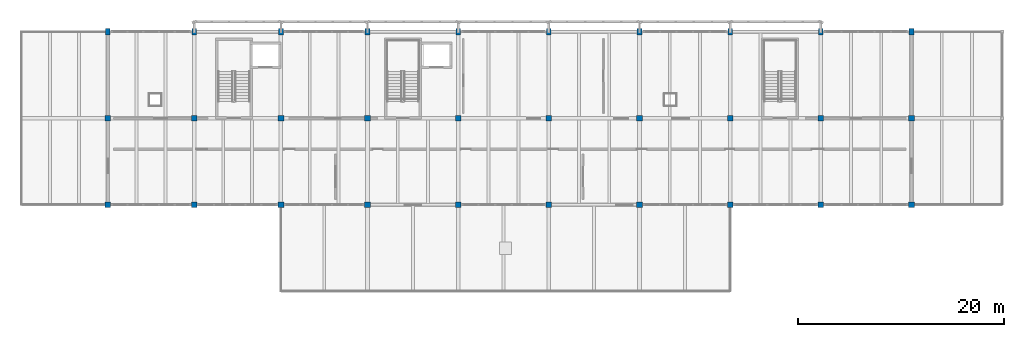
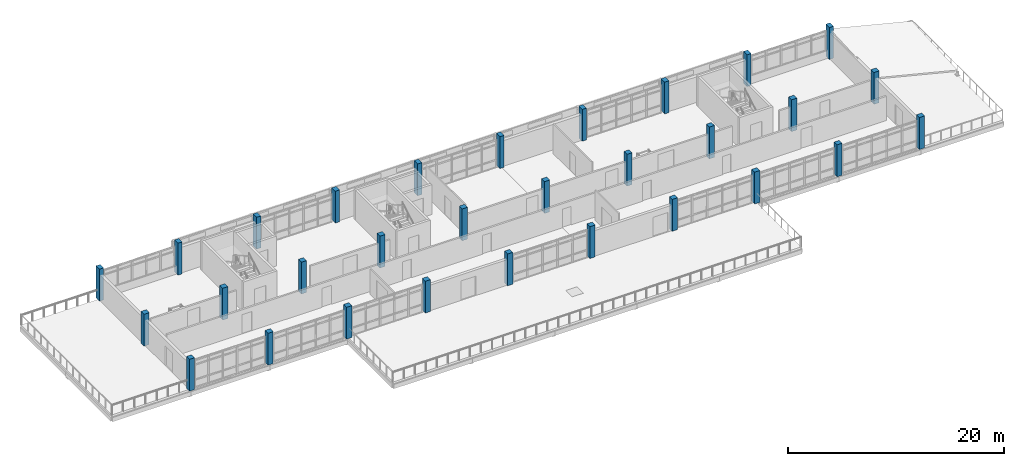
# One storey, part 1 of 30: 30 columns.
"""IFC4 building model written with IfcOpenShell, lengths in metres."""

from ifc_helpers import new_model, si_unit, direction, frame, origin, origin_2d, place, context, subcontext, project, spatial, rectangle, extrude, material, material_profile, profile_set, type_object, element, save


model = new_model("IFC4")

# Units and contexts
model_context = context("Model", 3, precision=1e-05, world=origin(), true_north=direction((0.0, 1.0)))
body_context = subcontext(model_context, "Body", "Model", "MODEL_VIEW")
ifc_project = project(units=[si_unit("LENGTHUNIT", "METRE"), si_unit("AREAUNIT", "SQUARE_METRE"), si_unit("VOLUMEUNIT", "CUBIC_METRE"), si_unit("PLANEANGLEUNIT", "RADIAN"), si_unit("MASSUNIT", "GRAM", prefix="KILO")], contexts=[model_context])

# Site, building, storey
site_placement = place(None, origin())
site = spatial("IfcSite", under=ifc_project, at=site_placement, CompositionType="ELEMENT")
building_placement = place(site_placement, origin())
building = spatial("IfcBuilding", under=site, at=building_placement, Name="Cinderway Yard Community Centre", CompositionType="ELEMENT")
storey_placement = place(building_placement, frame((0.0, 0.0, 16.5)))
storey = spatial("IfcBuildingStorey", under=building, at=storey_placement, Name="L04", CompositionType="ELEMENT", Elevation=16.5)

# Columns
ifc_material = material(Name="Concrete C40/50", Category="concrete")
ifc_material_profile_1 = material_profile(ifc_material, rectangle(XDim=0.449951171875, YDim=0.64990234375, at=origin_2d()), Name="Concrete C40/50")
ifc_profile_set_1 = profile_set([ifc_material_profile_1], Name="Concrete C40/50")
column_type_1 = type_object("IfcColumnType", Name="STR-COL-RC450X650", PredefinedType="COLUMN", material=ifc_profile_set_1)
for number, where, z_axis, x_axis, name in (
    (1, (50.0, 115.199951171875, 0.0), (0.0, 0.0, 1.0), (1.0, 0.0, 0.0), "Column V4-C-02-4 L04"),
    (2, (58.39990234375, 115.199951171875, 0.0), (0.0, 0.0, 1.0), (1.0, 0.0, 0.0), "Column V4-C-03-4 L04"),
    (3, (66.800048828125, 115.199951171875, 0.0), (0.0, 0.0, 1.0), (1.0, 0.0, 0.0), "Column V4-C-04-4 L04"),
    (4, (75.199951171875, 115.199951171875, 0.0), (0.0, 0.0, 1.0), (1.0, 0.0, 0.0), "Column V4-C-05-4 L04"),
    (5, (84.0, 115.199951171875, 0.0), (0.0, 0.0, 1.0), (1.0, 0.0, 0.0), "Column V4-C-06-4 L04"),
    (6, (92.800048828125, 115.199951171875, 0.0), (0.0, 0.0, 1.0), (1.0, 0.0, 0.0), "Column V4-C-07-4 L04"),
    (7, (101.60009765625, 115.199951171875, 0.0), (0.0, 0.0, 1.0), (1.0, 0.0, 0.0), "Column V4-C-08-4 L04"),
    (8, (110.39990234375, 115.199951171875, 0.0), (0.0, 0.0, 1.0), (1.0, 0.0, 0.0), "Column V4-C-09-4 L04"),
    (9, (119.199951171875, 115.199951171875, 0.0), (0.0, 0.0, 1.0), (1.0, 0.0, 0.0), "Column V4-C-10-4 L04"),
    (10, (128.0, 115.199951171875, 0.0), (0.0, 0.0, 1.0), (1.0, 0.0, 0.0), "Column V4-C-11-4 L04"),
):
    element("IfcColumn", number, at=place(storey_placement, frame(where, z_axis=z_axis, x_axis=x_axis)), inside=storey, type_object=column_type_1, Name=name, PredefinedType="COLUMN", context=body_context, shape_type="SweptSolid", body=[
        extrude(rectangle(XDim=0.449951171875, YDim=0.64990234375, at=origin_2d()), origin(), (0.0, 0.0, 1.0), 3.60009765625),
    ])
ifc_material_profile_2 = material_profile(ifc_material, rectangle(XDim=0.550048828125, YDim=0.550048828125, at=origin_2d()), Name="Concrete C40/50")
ifc_profile_set_2 = profile_set([ifc_material_profile_2], Name="Concrete C40/50")
column_type_2 = type_object("IfcColumnType", Name="STR-COL-RC550", PredefinedType="COLUMN", material=ifc_profile_set_2)
for number, where, z_axis, x_axis, name in (
    (11, (50.0, 98.39990234375, 0.0), (0.0, 0.0, 1.0), (1.0, 0.0, 0.0), "Column V4-C-02-2 L04"),
    (12, (50.0, 106.800048828125, 0.0), (0.0, 0.0, 1.0), (1.0, 0.0, 0.0), "Column V4-C-02-3 L04"),
    (13, (58.39990234375, 98.39990234375, 0.0), (0.0, 0.0, 1.0), (1.0, 0.0, 0.0), "Column V4-C-03-2 L04"),
    (14, (58.39990234375, 106.800048828125, 0.0), (0.0, 0.0, 1.0), (1.0, 0.0, 0.0), "Column V4-C-03-3 L04"),
    (15, (66.800048828125, 98.39990234375, 0.0), (0.0, 0.0, 1.0), (1.0, 0.0, 0.0), "Column V4-C-04-2 L04"),
    (16, (66.800048828125, 106.800048828125, 0.0), (0.0, 0.0, 1.0), (1.0, 0.0, 0.0), "Column V4-C-04-3 L04"),
    (17, (75.199951171875, 98.39990234375, 0.0), (0.0, 0.0, 1.0), (1.0, 0.0, 0.0), "Column V4-C-05-2 L04"),
    (18, (75.199951171875, 106.800048828125, 0.0), (0.0, 0.0, 1.0), (1.0, 0.0, 0.0), "Column V4-C-05-3 L04"),
    (19, (84.0, 98.39990234375, 0.0), (0.0, 0.0, 1.0), (1.0, 0.0, 0.0), "Column V4-C-06-2 L04"),
    (20, (84.0, 106.800048828125, 0.0), (0.0, 0.0, 1.0), (1.0, 0.0, 0.0), "Column V4-C-06-3 L04"),
    (21, (92.800048828125, 98.39990234375, 0.0), (0.0, 0.0, 1.0), (1.0, 0.0, 0.0), "Column V4-C-07-2 L04"),
    (22, (92.800048828125, 106.800048828125, 0.0), (0.0, 0.0, 1.0), (1.0, 0.0, 0.0), "Column V4-C-07-3 L04"),
    (23, (101.60009765625, 98.39990234375, 0.0), (0.0, 0.0, 1.0), (1.0, 0.0, 0.0), "Column V4-C-08-2 L04"),
    (24, (101.60009765625, 106.800048828125, 0.0), (0.0, 0.0, 1.0), (1.0, 0.0, 0.0), "Column V4-C-08-3 L04"),
    (25, (110.39990234375, 98.39990234375, 0.0), (0.0, 0.0, 1.0), (1.0, 0.0, 0.0), "Column V4-C-09-2 L04"),
    (26, (110.39990234375, 106.800048828125, 0.0), (0.0, 0.0, 1.0), (1.0, 0.0, 0.0), "Column V4-C-09-3 L04"),
    (27, (119.199951171875, 98.39990234375, 0.0), (0.0, 0.0, 1.0), (1.0, 0.0, 0.0), "Column V4-C-10-2 L04"),
    (28, (119.199951171875, 106.800048828125, 0.0), (0.0, 0.0, 1.0), (1.0, 0.0, 0.0), "Column V4-C-10-3 L04"),
    (29, (128.0, 98.39990234375, 0.0), (0.0, 0.0, 1.0), (1.0, 0.0, 0.0), "Column V4-C-11-2 L04"),
    (30, (128.0, 106.800048828125, 0.0), (0.0, 0.0, 1.0), (1.0, 0.0, 0.0), "Column V4-C-11-3 L04"),
):
    element("IfcColumn", number, at=place(storey_placement, frame(where, z_axis=z_axis, x_axis=x_axis)), inside=storey, type_object=column_type_2, Name=name, PredefinedType="COLUMN", context=body_context, shape_type="SweptSolid", body=[
        extrude(rectangle(XDim=0.550048828125, YDim=0.550048828125, at=origin_2d()), origin(), (0.0, 0.0, 1.0), 3.60009765625),
    ])

save(model, "model.ifc")
